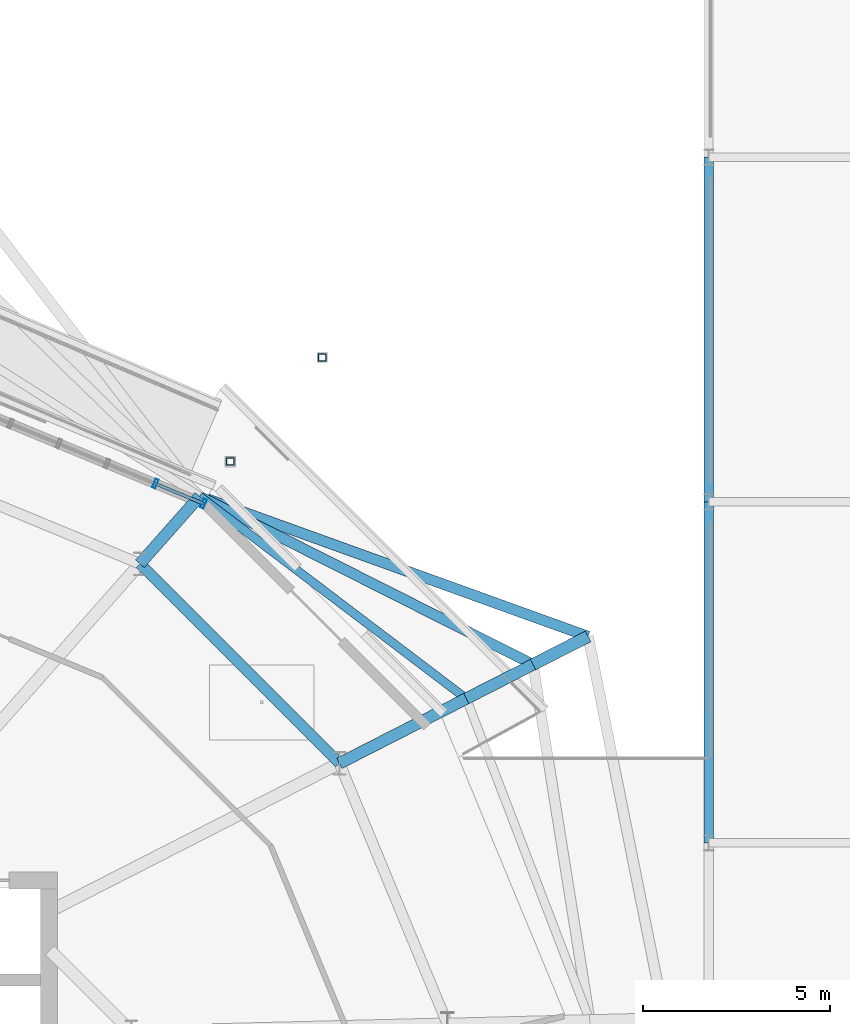
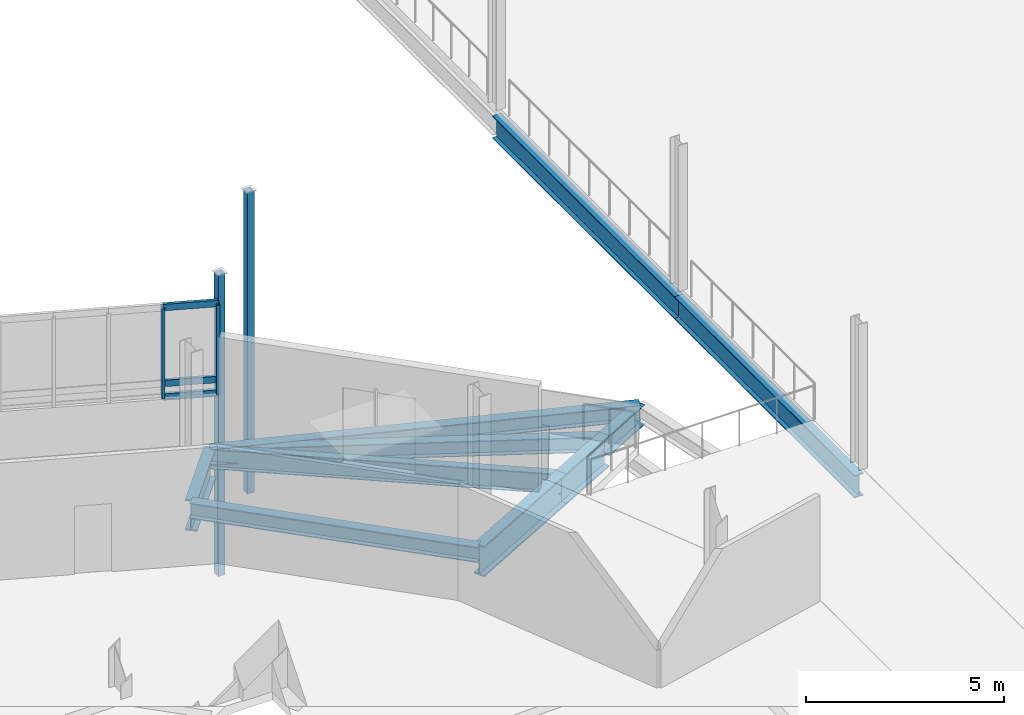
# One storey, part 58 of 139: 10 beams, 7 members, 1 element without a shape of its own.
"""IFC4 building model written with IfcOpenShell, lengths in metres."""

from ifc_helpers import new_model, si_unit, derived_unit, direction, frame, origin, origin_2d, place, context, subcontext, project, spatial, hollow_rectangle, i_section, extrude, material, layer, layer_set, material_profile, profile_set, type_object, element, aggregate, save


model = new_model("IFC4")

# Units and contexts
model_context = context("Model", 3, precision=1e-05, world=origin(), true_north=direction((0.0, 1.0)))
body_context = subcontext(model_context, "Body", "Model", "MODEL_VIEW")
ifc_project = project(units=[si_unit("LENGTHUNIT", "METRE"), si_unit("AREAUNIT", "SQUARE_METRE"), si_unit("VOLUMEUNIT", "CUBIC_METRE"), si_unit("PLANEANGLEUNIT", "RADIAN"), si_unit("MASSUNIT", "GRAM", prefix="KILO"), derived_unit("THERMALTRANSMITTANCEUNIT", [(si_unit("MASSUNIT", "GRAM", prefix="KILO"), 1), (si_unit("TIMEUNIT", "SECOND"), -3), (si_unit("THERMODYNAMICTEMPERATUREUNIT", "KELVIN"), -1)])], contexts=[model_context])

# Site, building, storey
site_placement = place(None, origin())
site = spatial("IfcSite", under=ifc_project, at=site_placement, CompositionType="ELEMENT")
building_placement = place(site_placement, origin())
building = spatial("IfcBuilding", under=site, at=building_placement, Name="Makaiwela Harbour Ferry Terminal", CompositionType="ELEMENT")
storey_placement = place(building_placement, frame((0.0, 0.0, 5.10009765625)))
storey = spatial("IfcBuildingStorey", under=building, at=storey_placement, Name="L01", CompositionType="ELEMENT", Elevation=5.10009765625)

# Curtain wall, members
ifc_material_1 = material(Name="Marine anodised aluminium 6063-T6", Category="aluminium")
ifc_layer = layer(ifc_material_1, 0.199951171875)
ifc_layer_set = layer_set([ifc_layer], Name="Marine anodised aluminium 6063-T6")
curtain_wall_type = type_object("IfcCurtainWallType", Name="ENV-CW-03", PredefinedType="USERDEFINED", material=ifc_layer_set)
curtain_wall_placement = place(storey_placement, origin())
curtain_wall = element("IfcCurtainWall", 1, at=curtain_wall_placement, inside=storey, type_object=curtain_wall_type, Name="Unitised Curtain Wall CWA-011", ObjectType="UNITIZED CURTAIN WALL", PredefinedType="USERDEFINED")
ifc_material_profile_1 = material_profile(ifc_material_1, hollow_rectangle(XDim=0.0849609375, YDim=0.25, WallThickness=0.0048828125, at=origin_2d()), Name="CWM-250X85")
ifc_profile_set_1 = profile_set([ifc_material_profile_1], Name="Marine anodised aluminium 6063-T6")
member_type_1 = type_object("IfcMemberType", Name="CW-MUL-250", PredefinedType="MULLION", material=ifc_profile_set_1)
member_1_placement = place(storey_placement, frame((49.522705078125, 85.751220703125, 1.47998046875), z_axis=(0.0, 0.0, 1.0), x_axis=(-0.923879532511, 0.382683432365, 0.0)))
member_1 = element("IfcMember", 2, at=member_1_placement, type_object=member_type_1, Name="Curtain Wall Mullion CWA-011-1", PredefinedType="MULLION", context=body_context, shape_type="SweptSolid", body=[
    extrude(hollow_rectangle(XDim=0.0849609375, YDim=0.25, WallThickness=0.0048828125, at=origin_2d()), origin(), (0.0, 0.0, 1.0), 2.760009765625),
])
member_2_placement = place(storey_placement, frame((48.234130859375, 86.284912109375, 1.47998046875), z_axis=(0.0, 0.0, 1.0), x_axis=(-0.923879532511, 0.382683432365, 0.0)))
member_2 = element("IfcMember", 3, at=member_2_placement, type_object=member_type_1, Name="Curtain Wall Mullion CWA-011-2", PredefinedType="MULLION", context=body_context, shape_type="SweptSolid", body=[
    extrude(hollow_rectangle(XDim=0.0849609375, YDim=0.25, WallThickness=0.0048828125, at=origin_2d()), origin(), (0.0, 0.0, 1.0), 2.760009765625),
])
ifc_material_profile_2 = material_profile(ifc_material_1, hollow_rectangle(XDim=0.0849609375, YDim=0.199951171875, WallThickness=0.0048828125, at=origin_2d()), Name="CWT-200X85")
ifc_profile_set_2 = profile_set([ifc_material_profile_2], Name="Marine anodised aluminium 6063-T6")
member_type_2 = type_object("IfcMemberType", Name="CW-TRN-200", PredefinedType="USERDEFINED", material=ifc_profile_set_2)
member_3_placement = place(storey_placement, frame((49.522705078125, 85.751220703125, 1.47998046875), z_axis=(-0.923893096707, 0.382650683858, 0.0), x_axis=(-0.382650683858, -0.923893096707, 0.0)))
member_3 = element("IfcMember", 4, at=member_3_placement, type_object=member_type_2, Name="Curtain Wall Transom CWA-011-1-1", ObjectType="TRANSOM", PredefinedType="USERDEFINED", context=body_context, shape_type="SweptSolid", body=[
    extrude(hollow_rectangle(XDim=0.0849609375, YDim=0.199951171875, WallThickness=0.0048828125, at=origin_2d()), origin(), (0.0, 0.0, 1.0), 1.394775390625),
])
member_4_placement = place(storey_placement, frame((49.522705078125, 85.751220703125, 1.89990234375), z_axis=(-0.923893096707, 0.382650683858, 0.0), x_axis=(-0.382650683858, -0.923893096707, 0.0)))
member_4 = element("IfcMember", 5, at=member_4_placement, type_object=member_type_2, Name="Curtain Wall Transom CWA-011-1-2", ObjectType="TRANSOM", PredefinedType="USERDEFINED", context=body_context, shape_type="SweptSolid", body=[
    extrude(hollow_rectangle(XDim=0.0849609375, YDim=0.199951171875, WallThickness=0.0048828125, at=origin_2d()), origin(), (0.0, 0.0, 1.0), 1.394775390625),
])
member_5_placement = place(storey_placement, frame((49.522705078125, 85.751220703125, 4.239990234375), z_axis=(-0.923893096707, 0.382650683858, 0.0), x_axis=(-0.382650683858, -0.923893096707, 0.0)))
member_5 = element("IfcMember", 6, at=member_5_placement, type_object=member_type_2, Name="Curtain Wall Transom CWA-011-1-3", ObjectType="TRANSOM", PredefinedType="USERDEFINED", context=body_context, shape_type="SweptSolid", body=[
    extrude(hollow_rectangle(XDim=0.0849609375, YDim=0.199951171875, WallThickness=0.0048828125, at=origin_2d()), origin(), (0.0, 0.0, 1.0), 1.394775390625),
])
aggregate(curtain_wall, [member_1, member_2, member_3, member_4, member_5])

# Beams
ifc_material_2 = material(Name="Steel ASTM A992 Grade 50", Category="steel")
ifc_material_profile_3 = material_profile(ifc_material_2, i_section(OverallWidth=0.280029296875, OverallDepth=0.462890625, WebThickness=0.0107421875, FlangeThickness=0.017333984375, at=origin_2d()), Name="W18X76")
ifc_profile_set_3 = profile_set([ifc_material_profile_3], Name="Steel ASTM A992 Grade 50")
beam_type_1 = type_object("IfcBeamType", Name="STR-BM-W18X76", PredefinedType="BEAM", material=ifc_profile_set_3)
beam_1_placement = place(storey_placement, frame((58.313720703125, 81.458740234375, -0.51171875), z_axis=(-0.892829591062, 0.450394628436, 0.0), x_axis=(-0.450394628436, -0.892829591062, 0.0)))
element("IfcBeam", 7, at=beam_1_placement, inside=storey, type_object=beam_type_1, Name="Drum stage2 tie girder 81", PredefinedType="BEAM", context=body_context, shape_type="SweptSolid", body=[
    extrude(i_section(OverallWidth=0.280029296875, OverallDepth=0.462890625, WebThickness=0.0107421875, FlangeThickness=0.017333984375, at=origin_2d()), origin(), (0.0, 0.0, 1.0), 9.968505859375),
])
ifc_material_profile_4 = material_profile(ifc_material_2, i_section(OverallWidth=0.324951171875, OverallDepth=0.615966796875, WebThickness=0.013916015625, FlangeThickness=0.021484375, at=origin_2d()), Name="W24X117")
ifc_profile_set_4 = profile_set([ifc_material_profile_4], Name="Steel ASTM A992 Grade 50")
beam_type_2 = type_object("IfcBeamType", Name="STR-GRD-W24X117", PredefinedType="USERDEFINED", material=ifc_profile_set_4)
beam_2_placement = place(storey_placement, frame((58.313720703125, 81.458740234375, -0.588134765625), z_axis=(0.890787540779, 0.454420022879, 0.0), x_axis=(-0.454420022879, 0.890787540779, 0.0)))
element("IfcBeam", 8, at=beam_2_placement, inside=storey, type_object=beam_type_2, Name="Promenade terrace bracket 34", ObjectType="GIRDER", PredefinedType="USERDEFINED", context=body_context, shape_type="SweptSolid", body=[
    extrude(i_section(OverallWidth=0.324951171875, OverallDepth=0.615966796875, WebThickness=0.013916015625, FlangeThickness=0.021484375, at=origin_2d()), origin(), (0.0, 0.0, 1.0), 1.64990234375),
])
ifc_material_profile_5 = material_profile(ifc_material_2, i_section(OverallWidth=0.22900390625, OverallDepth=0.612060546875, WebThickness=0.011962890625, FlangeThickness=0.01953125, at=origin_2d()), Name="W24X84")
ifc_profile_set_5 = profile_set([ifc_material_profile_5], Name="Steel ASTM A992 Grade 50")
beam_type_3 = type_object("IfcBeamType", Name="STR-GRD-W24X84", PredefinedType="USERDEFINED", material=ifc_profile_set_5)
beam_3_placement = place(storey_placement, frame((56.5322265625, 80.549560546875, -0.586181640625), z_axis=(-0.796768395615, 0.604284803506, 0.0), x_axis=(-0.604284803506, -0.796768395615, 0.0)))
element("IfcBeam", 9, at=beam_3_placement, inside=storey, type_object=beam_type_3, Name="Drum overhang tie girder 80", ObjectType="GIRDER", PredefinedType="USERDEFINED", context=body_context, shape_type="SweptSolid", body=[
    extrude(i_section(OverallWidth=0.22900390625, OverallDepth=0.612060546875, WebThickness=0.011962890625, FlangeThickness=0.01953125, at=origin_2d()), origin(), (0.0, 0.0, 1.0), 8.934326171875),
])
ifc_material_profile_6 = material_profile(ifc_material_2, i_section(OverallWidth=0.256103515625, OverallDepth=0.693115234375, WebThickness=0.014404296875, FlangeThickness=0.023681640625, at=origin_2d()), Name="W27X114")
ifc_profile_set_6 = profile_set([ifc_material_profile_6], Name="Steel ASTM A992 Grade 50")
beam_type_4 = type_object("IfcBeamType", Name="STR-GRD-W27X114", PredefinedType="USERDEFINED", material=ifc_profile_set_6)
beam_4_placement = place(storey_placement, frame((63.0, 76.699951171875, -0.626708984375), z_axis=(0.0, 1.0, 0.0), x_axis=(-1.0, 0.0, 0.0)))
element("IfcBeam", 10, at=beam_4_placement, inside=storey, type_object=beam_type_4, Name="Primary Y girder 931", ObjectType="GIRDER", PredefinedType="USERDEFINED", context=body_context, shape_type="SweptSolid", body=[
    extrude(i_section(OverallWidth=0.256103515625, OverallDepth=0.693115234375, WebThickness=0.014404296875, FlangeThickness=0.023681640625, at=origin_2d()), origin(), (0.0, 0.0, 1.0), 9.10009765625),
])
beam_5_placement = place(storey_placement, frame((63.0, 85.800048828125, -0.626708984375), z_axis=(0.0, 1.0, 0.0), x_axis=(-1.0, 0.0, 0.0)))
element("IfcBeam", 11, at=beam_5_placement, inside=storey, type_object=beam_type_4, Name="Primary Y girder 932", ObjectType="GIRDER", PredefinedType="USERDEFINED", context=body_context, shape_type="SweptSolid", body=[
    extrude(i_section(OverallWidth=0.256103515625, OverallDepth=0.693115234375, WebThickness=0.014404296875, FlangeThickness=0.023681640625, at=origin_2d()), origin(), (0.0, 0.0, 1.0), 9.199951171875),
])
ifc_material_profile_7 = material_profile(ifc_material_2, i_section(OverallWidth=0.31005859375, OverallDepth=0.949951171875, WebThickness=0.0244140625, FlangeThickness=0.0439453125, at=origin_2d()), Name="W36X256")
ifc_profile_set_7 = profile_set([ifc_material_profile_7], Name="Steel ASTM A992 Grade 50")
beam_type_5 = type_object("IfcBeamType", Name="STR-GRD-W36X256", PredefinedType="USERDEFINED", material=ifc_profile_set_7)
beam_6_placement = place(storey_placement, frame((53.1474609375, 78.822509765625, -0.755126953125), z_axis=(0.890748068291, 0.454497391452, 0.0), x_axis=(-0.454497391452, 0.890748068291, 0.0)))
element("IfcBeam", 12, at=beam_6_placement, inside=storey, type_object=beam_type_5, Name="Drum radial overhang 32", ObjectType="GIRDER", PredefinedType="USERDEFINED", context=body_context, shape_type="SweptSolid", body=[
    extrude(i_section(OverallWidth=0.31005859375, OverallDepth=0.949951171875, WebThickness=0.0244140625, FlangeThickness=0.0439453125, at=origin_2d()), origin(), (0.0, 0.0, 1.0), 3.7998046875),
])
beam_7_placement = place(storey_placement, frame((56.5322265625, 80.549560546875, -0.755126953125), z_axis=(0.890710431999, 0.454571145507, 0.0), x_axis=(-0.454571145507, 0.890710431999, 0.0)))
element("IfcBeam", 13, at=beam_7_placement, inside=storey, type_object=beam_type_5, Name="Drum overhang radial girder 33", ObjectType="GIRDER", PredefinedType="USERDEFINED", context=body_context, shape_type="SweptSolid", body=[
    extrude(i_section(OverallWidth=0.31005859375, OverallDepth=0.949951171875, WebThickness=0.0244140625, FlangeThickness=0.0439453125, at=origin_2d()), origin(), (0.0, 0.0, 1.0), 2.0),
])
beam_8_placement = place(storey_placement, frame((47.822509765625, 84.1474609375, -0.755126953125), z_axis=(0.662071761825, 0.749440446062, 0.0), x_axis=(-0.749440446062, 0.662071761825, 0.0)))
element("IfcBeam", 14, at=beam_8_placement, inside=storey, type_object=beam_type_5, Name="Drum radial overhang 36", ObjectType="GIRDER", PredefinedType="USERDEFINED", context=body_context, shape_type="SweptSolid", body=[
    extrude(i_section(OverallWidth=0.31005859375, OverallDepth=0.949951171875, WebThickness=0.0244140625, FlangeThickness=0.0439453125, at=origin_2d()), origin(), (0.0, 0.0, 1.0), 2.403076171875),
])

# Members
ifc_material_3 = material(Name="Steel ASTM A500 Grade C", Category="steel")
ifc_material_profile_8 = material_profile(ifc_material_3, hollow_rectangle(XDim=0.202880859375, YDim=0.202880859375, WallThickness=0.01171875, at=origin_2d()), Name="HSS8X8X1/2")
ifc_profile_set_8 = profile_set([ifc_material_profile_8], Name="Steel ASTM A500 Grade C")
member_type_3 = type_object("IfcMemberType", Name="STR-PST-HSS8", PredefinedType="POST", material=ifc_profile_set_8)
for number, where, z_axis, x_axis, name in (
    (15, (50.23291015625, 86.876220703125, -5.050048828125), (0.0, 0.0, 1.0), (1.0, 0.0, 0.0), "Exterior Ramp Support Post RP-0099"),
    (16, (52.6884765625, 89.656005859375, -5.050048828125), (0.0, 0.0, 1.0), (1.0, 0.0, 0.0), "Exterior Ramp Support Post RP-0105"),
):
    element("IfcMember", number, at=place(storey_placement, frame(where, z_axis=z_axis, x_axis=x_axis)), inside=storey, type_object=member_type_3, Name=name, PredefinedType="POST", context=body_context, shape_type="SweptSolid", body=[
        extrude(hollow_rectangle(XDim=0.202880859375, YDim=0.202880859375, WallThickness=0.01171875, at=origin_2d()), origin(), (0.0, 0.0, 1.0), 9.300048828125),
    ])

# Beams
ifc_material_profile_9 = material_profile(ifc_material_2, i_section(OverallWidth=0.283935546875, OverallDepth=0.47607421875, WebThickness=0.014892578125, FlangeThickness=0.02392578125, at=origin_2d()), Name="W18X106")
ifc_profile_set_9 = profile_set([ifc_material_profile_9], Name="Steel ASTM A992 Grade 50")
beam_type_6 = type_object("IfcBeamType", Name="STR-SPN-W18X106", PredefinedType="SPANDREL", material=ifc_profile_set_9)
beam_9_placement = place(storey_placement, frame((53.1474609375, 78.822509765625, -0.51806640625), z_axis=(-0.707106781187, 0.707106781187, 0.0), x_axis=(-0.707106781187, -0.707106781187, 0.0)))
element("IfcBeam", 17, at=beam_9_placement, inside=storey, type_object=beam_type_6, Name="Drum column ring girder 13", PredefinedType="SPANDREL", context=body_context, shape_type="SweptSolid", body=[
    extrude(i_section(OverallWidth=0.283935546875, OverallDepth=0.47607421875, WebThickness=0.014892578125, FlangeThickness=0.02392578125, at=origin_2d()), origin(), (0.0, 0.0, 1.0), 7.530517578125),
])
beam_10_placement = place(storey_placement, frame((59.783447265625, 82.20849609375, -0.51806640625), z_axis=(-0.940689623565, 0.339268377714, 0.0), x_axis=(-0.339268377714, -0.940689623565, 0.0)))
element("IfcBeam", 18, at=beam_10_placement, inside=storey, type_object=beam_type_6, Name="Drum perimeter spandrel 104", PredefinedType="SPANDREL", context=body_context, shape_type="SweptSolid", body=[
    extrude(i_section(OverallWidth=0.283935546875, OverallDepth=0.47607421875, WebThickness=0.014892578125, FlangeThickness=0.02392578125, at=origin_2d()), origin(), (0.0, 0.0, 1.0), 11.023681640625),
])

save(model, "model.ifc")
